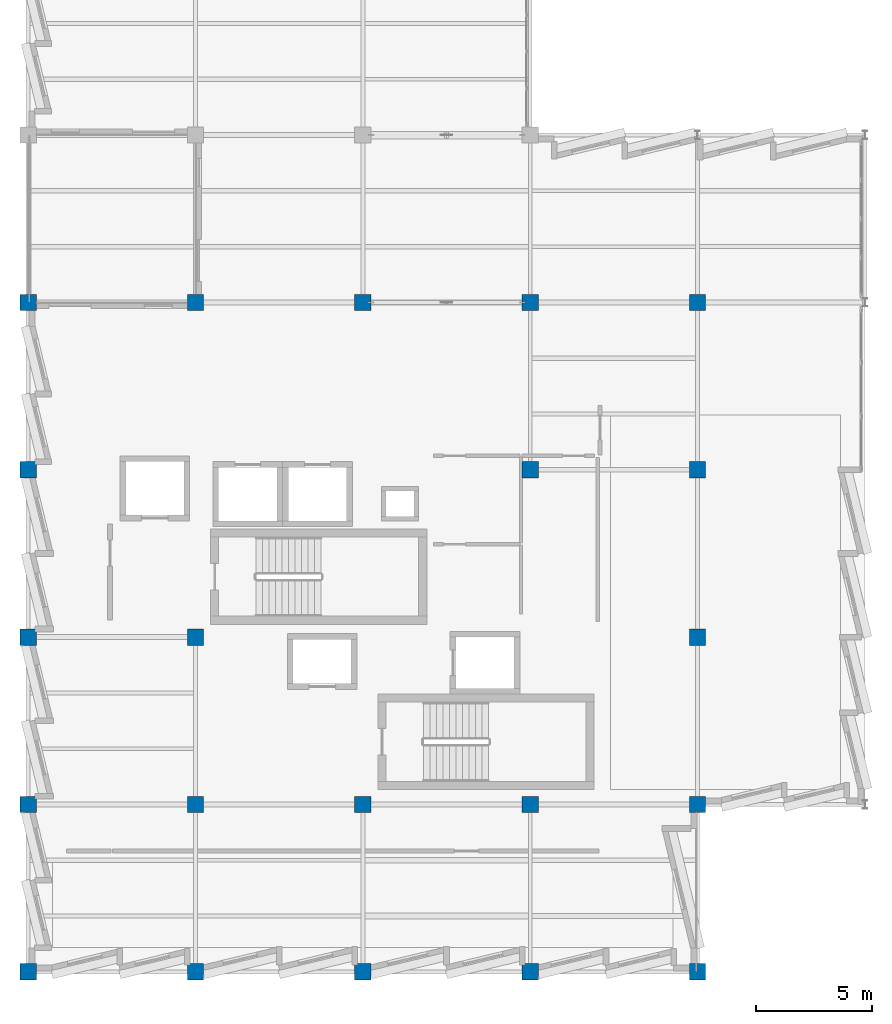
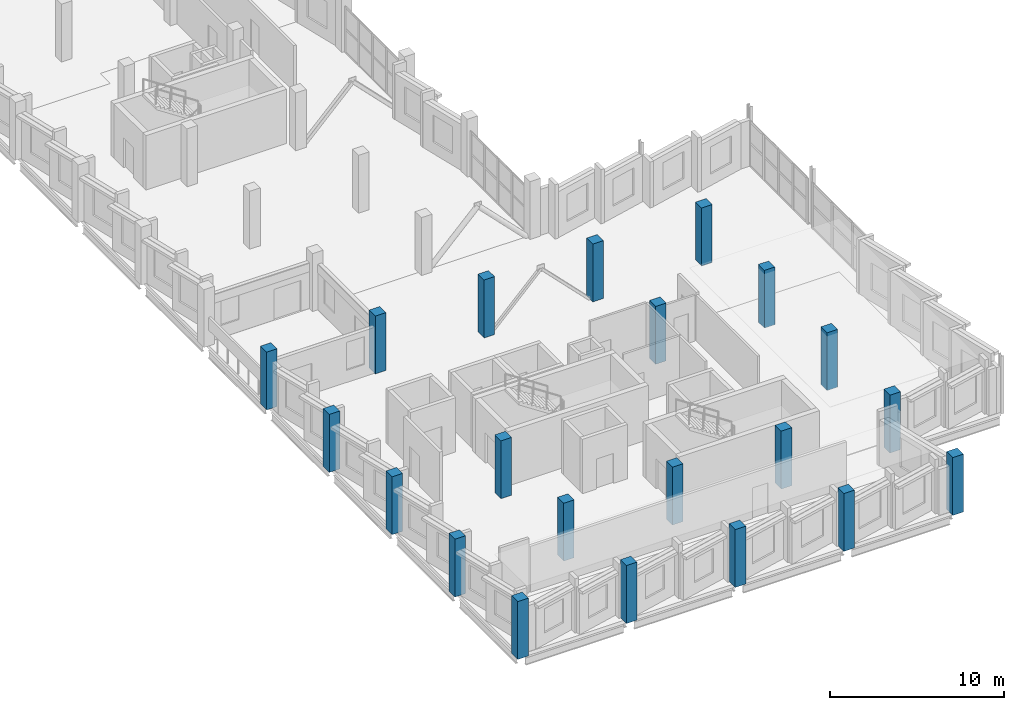
# One storey, part 1 of 33: 21 columns.
"""IFC4 building model written with IfcOpenShell, lengths in metres."""

from ifc_helpers import new_model, si_unit, direction, frame, origin, origin_2d, place, context, subcontext, project, spatial, rectangle, extrude, material, material_profile, profile_set, type_object, element, save


model = new_model("IFC4")

# Units and contexts
model_context = context("Model", 3, precision=1e-05, world=origin(), true_north=direction((0.0, 1.0)))
body_context = subcontext(model_context, "Body", "Model", "MODEL_VIEW")
ifc_project = project(units=[si_unit("LENGTHUNIT", "METRE"), si_unit("AREAUNIT", "SQUARE_METRE"), si_unit("VOLUMEUNIT", "CUBIC_METRE"), si_unit("PLANEANGLEUNIT", "RADIAN"), si_unit("MASSUNIT", "GRAM", prefix="KILO")], contexts=[model_context])

# Site, building, storey
site_placement = place(None, origin())
site = spatial("IfcSite", under=ifc_project, at=site_placement, CompositionType="ELEMENT")
building_placement = place(site_placement, origin())
building = spatial("IfcBuilding", under=site, at=building_placement, Name="Kalmorath City Hall", CompositionType="ELEMENT")
storey_placement = place(building_placement, frame((0.0, 0.0, 22.949951171875)))
storey = spatial("IfcBuildingStorey", under=building, at=storey_placement, Name="L05", CompositionType="ELEMENT", Elevation=22.949951171875)

# Columns
ifc_material = material(Name="Concrete C50/60", Category="concrete")
ifc_material_profile = material_profile(ifc_material, rectangle(XDim=0.699951171875, YDim=0.699951171875, at=origin_2d()), Name="RC-COL-700X700")
ifc_profile_set = profile_set([ifc_material_profile], Name="Concrete C50/60")
column_type = type_object("IfcColumnType", Name="Concrete column 700x700", PredefinedType="COLUMN", material=ifc_profile_set)
for number, where, z_axis, x_axis, name in (
    (1, (0.0, 0.0, 0.0), (0.0, 0.0, 1.0), (1.0, 0.0, 0.0), "L05 column C4 (1/1)"),
    (2, (0.0, 7.199951171875, 0.0), (0.0, 0.0, 1.0), (1.0, 0.0, 0.0), "L05 column C4 (1/2)"),
    (3, (0.0, 14.39990234375, 0.0), (0.0, 0.0, 1.0), (1.0, 0.0, 0.0), "L05 column C4 (1/3)"),
    (4, (0.0, 21.60009765625, 0.0), (0.0, 0.0, 1.0), (1.0, 0.0, 0.0), "L05 column C4 (1/4)"),
    (5, (0.0, 28.800048828125, 0.0), (0.0, 0.0, 1.0), (1.0, 0.0, 0.0), "L05 column C4 (1/5)"),
    (6, (7.199951171875, 0.0, 0.0), (0.0, 0.0, 1.0), (1.0, 0.0, 0.0), "L05 column C4 (2/1)"),
    (7, (7.199951171875, 7.199951171875, 0.0), (0.0, 0.0, 1.0), (1.0, 0.0, 0.0), "L05 column C4 (2/2)"),
    (8, (7.199951171875, 14.39990234375, 0.0), (0.0, 0.0, 1.0), (1.0, 0.0, 0.0), "L05 column C4 (2/3)"),
    (9, (7.199951171875, 28.800048828125, 0.0), (0.0, 0.0, 1.0), (1.0, 0.0, 0.0), "L05 column C4 (2/5)"),
    (10, (14.39990234375, 0.0, 0.0), (0.0, 0.0, 1.0), (1.0, 0.0, 0.0), "L05 column C4 (3/1)"),
    (11, (14.39990234375, 7.199951171875, 0.0), (0.0, 0.0, 1.0), (1.0, 0.0, 0.0), "L05 column C4 (3/2)"),
    (12, (14.39990234375, 28.800048828125, 0.0), (0.0, 0.0, 1.0), (1.0, 0.0, 0.0), "L05 column C4 (3/5)"),
    (13, (21.60009765625, 0.0, 0.0), (0.0, 0.0, 1.0), (1.0, 0.0, 0.0), "L05 column C4 (4/1)"),
    (14, (21.60009765625, 7.199951171875, 0.0), (0.0, 0.0, 1.0), (1.0, 0.0, 0.0), "L05 column C4 (4/2)"),
    (15, (21.60009765625, 21.60009765625, 0.0), (0.0, 0.0, 1.0), (1.0, 0.0, 0.0), "L05 column C4 (4/4)"),
    (16, (21.60009765625, 28.800048828125, 0.0), (0.0, 0.0, 1.0), (1.0, 0.0, 0.0), "L05 column C4 (4/5)"),
    (17, (28.800048828125, 0.0, 0.0), (0.0, 0.0, 1.0), (1.0, 0.0, 0.0), "L05 column C4 (5/1)"),
    (18, (28.800048828125, 7.199951171875, 0.0), (0.0, 0.0, 1.0), (1.0, 0.0, 0.0), "L05 column C4 (5/2)"),
    (19, (28.800048828125, 14.39990234375, 0.0), (0.0, 0.0, 1.0), (1.0, 0.0, 0.0), "L05 column C4 (5/3)"),
    (20, (28.800048828125, 21.60009765625, 0.0), (0.0, 0.0, 1.0), (1.0, 0.0, 0.0), "L05 column C4 (5/4)"),
    (21, (28.800048828125, 28.800048828125, 0.0), (0.0, 0.0, 1.0), (1.0, 0.0, 0.0), "L05 column C4 (5/5)"),
):
    element("IfcColumn", number, at=place(storey_placement, frame(where, z_axis=z_axis, x_axis=x_axis)), inside=storey, type_object=column_type, Name=name, PredefinedType="COLUMN", context=body_context, shape_type="SweptSolid", body=[
        extrude(rectangle(XDim=0.699951171875, YDim=0.699951171875, at=origin_2d()), origin(), (0.0, 0.0, 1.0), 4.050048828125),
    ])

save(model, "model.ifc")
